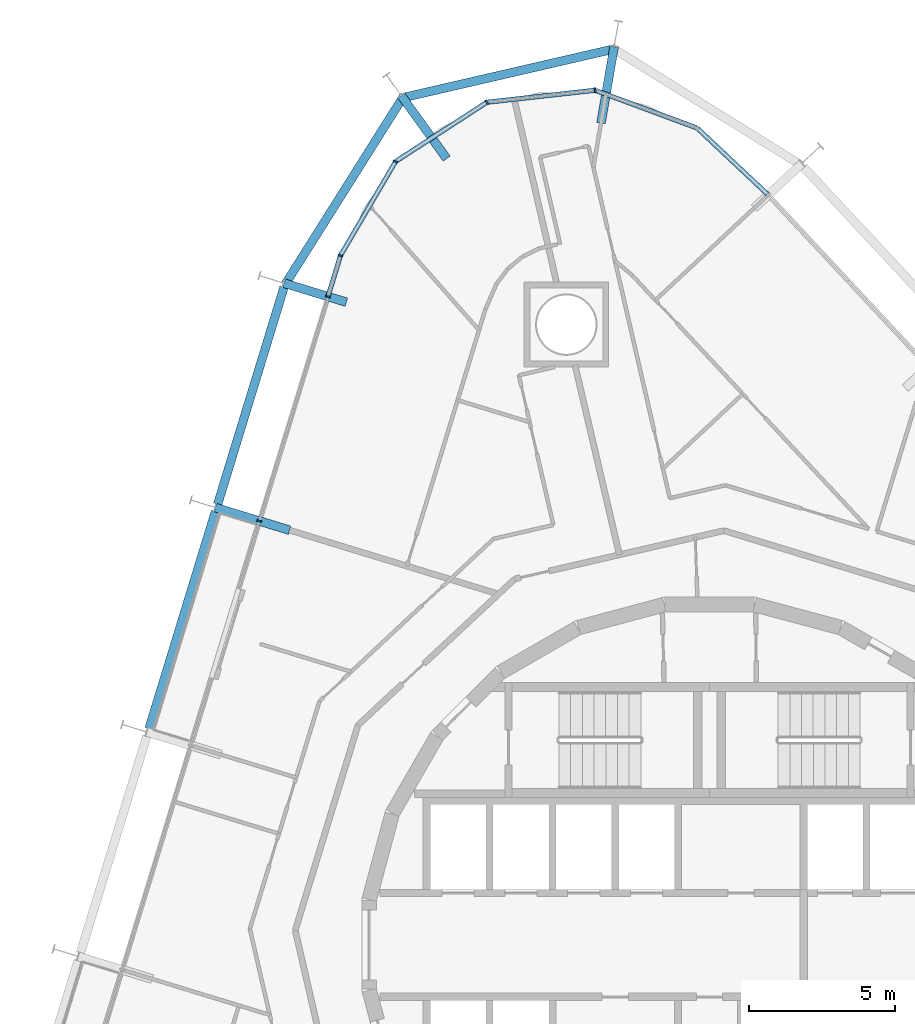
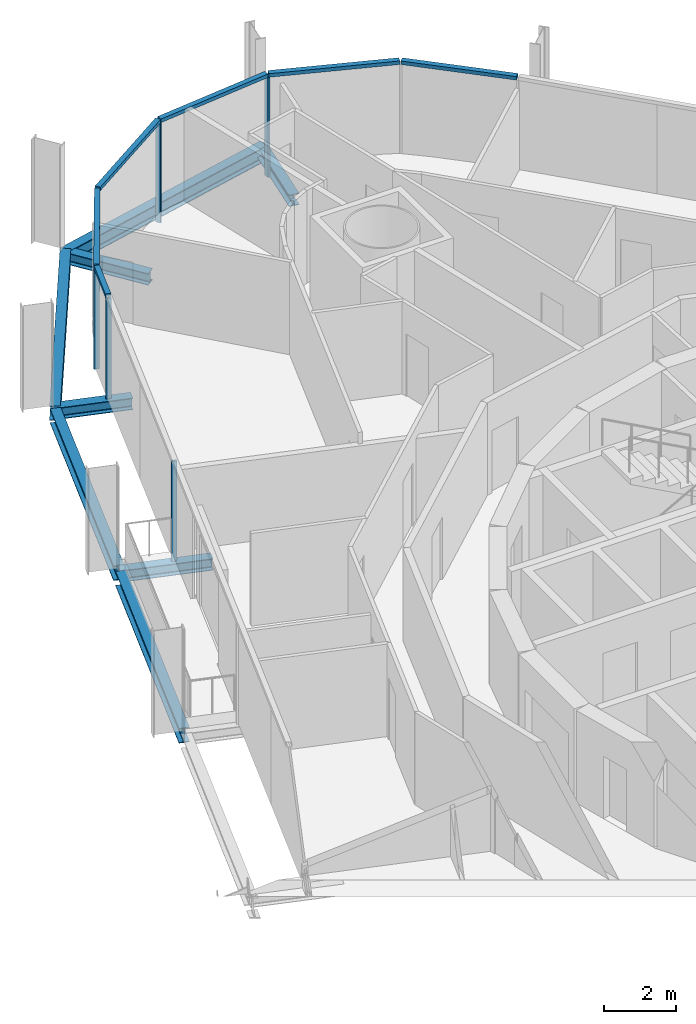
# One storey, part 7 of 18: 12 members, 8 beams, 2 elements without a shape of their own.
"""IFC4 building model written with IfcOpenShell, lengths in metres."""

from ifc_helpers import new_model, si_unit, direction, frame, origin, origin_2d, place, context, subcontext, project, spatial, rectangle, i_section, extrude, material, layer, layer_set, material_profile, profile_set, type_object, element, aggregate, save


model = new_model("IFC4")

# Units and contexts
model_context = context("Model", 3, precision=1e-05, world=origin(), true_north=direction((0.0, 1.0)))
body_context = subcontext(model_context, "Body", "Model", "MODEL_VIEW")
ifc_project = project(units=[si_unit("LENGTHUNIT", "METRE"), si_unit("AREAUNIT", "SQUARE_METRE"), si_unit("VOLUMEUNIT", "CUBIC_METRE"), si_unit("PLANEANGLEUNIT", "RADIAN"), si_unit("MASSUNIT", "GRAM", prefix="KILO")], contexts=[model_context])

# Site, building, storey
site_placement = place(None, origin())
site = spatial("IfcSite", under=ifc_project, at=site_placement, CompositionType="ELEMENT")
building_placement = place(site_placement, origin())
building = spatial("IfcBuilding", under=site, at=building_placement, Name="Spindle Arch Residences", CompositionType="ELEMENT")
storey_placement = place(building_placement, frame((0.0, 0.0, 123.89990234375)))
storey = spatial("IfcBuildingStorey", under=building, at=storey_placement, Name="L30", CompositionType="ELEMENT", Elevation=123.89990234375)

# Curtain wall, members
ifc_material_1 = material(Name="Aluminium bronze unitised frame with tinted glass", Category="aluminium")
ifc_layer_1 = layer(ifc_material_1, 0.159912109375)
ifc_layer_set_1 = layer_set([ifc_layer_1], Name="CW-D corner wall on the fillet arcs")
curtain_wall_type_1 = type_object("IfcCurtainWallType", Name="CW-D corner wall on the fillet arcs", PredefinedType="NOTDEFINED", material=ifc_layer_set_1)
curtain_wall_1_placement = place(storey_placement, origin())
curtain_wall_1 = element("IfcCurtainWall", 1, at=curtain_wall_1_placement, inside=storey, type_object=curtain_wall_type_1, Name="CW-D L30 run 3", PredefinedType="NOTDEFINED")
ifc_material_2 = material(Name="Aluminium bronze anodised mullion", Category="aluminium")
ifc_material_profile_1 = material_profile(ifc_material_2, rectangle(XDim=0.159912109375, YDim=0.06005859375, at=origin_2d()), Name="MU 60x160")
ifc_profile_set_1 = profile_set([ifc_material_profile_1], Name="Aluminium bronze anodised mullion")
member_type_1 = type_object("IfcMemberType", Name="Bronze mullion 60x160", PredefinedType="MULLION", material=ifc_profile_set_1)
member_1_placement = place(storey_placement, frame((-3.9150390625, 29.243408203125, -0.3798828125), z_axis=(0.0, 0.0, 1.0), x_axis=(0.110312556619, -0.993896946294, 0.0)))
member_1 = element("IfcMember", 2, at=member_1_placement, type_object=member_type_1, Name="CW-D mullion 02", PredefinedType="MULLION", context=body_context, shape_type="SweptSolid", body=[
    extrude(rectangle(XDim=0.159912109375, YDim=0.06005859375, at=origin_2d()), origin(), (0.0, 0.0, 1.0), 3.3798828125),
])
member_2_placement = place(storey_placement, frame((-7.619140625, 28.832275390625, -0.3798828125), z_axis=(0.0, 0.0, 1.0), x_axis=(0.544639035308, -0.838670567755, 0.0)))
member_2 = element("IfcMember", 3, at=member_2_placement, type_object=member_type_1, Name="CW-D mullion 03", PredefinedType="MULLION", context=body_context, shape_type="SweptSolid", body=[
    extrude(rectangle(XDim=0.159912109375, YDim=0.06005859375, at=origin_2d()), origin(), (0.0, 0.0, 1.0), 3.3798828125),
])
member_3_placement = place(storey_placement, frame((-10.74462890625, 26.802490234375, -0.3798828125), z_axis=(0.0, 0.0, 1.0), x_axis=(0.863101880723, -0.505029844161, 0.0)))
member_3 = element("IfcMember", 4, at=member_3_placement, type_object=member_type_1, Name="CW-D mullion 04", PredefinedType="MULLION", context=body_context, shape_type="SweptSolid", body=[
    extrude(rectangle(XDim=0.159912109375, YDim=0.06005859375, at=origin_2d()), origin(), (0.0, 0.0, 1.0), 3.3798828125),
])
member_4_placement = place(storey_placement, frame((-12.626708984375, 23.5859375, -0.3798828125), z_axis=(0.0, 0.0, 1.0), x_axis=(0.956304755963, -0.292371704723, 0.0)))
member_4 = element("IfcMember", 5, at=member_4_placement, type_object=member_type_1, Name="CW-D mullion 05", PredefinedType="MULLION", context=body_context, shape_type="SweptSolid", body=[
    extrude(rectangle(XDim=0.159912109375, YDim=0.06005859375, at=origin_2d()), origin(), (0.0, 0.0, 1.0), 3.3798828125),
])

ifc_material_3 = material(Name="Aluminium bronze unitised frame with tinted glass", Category="aluminium")
ifc_layer_2 = layer(ifc_material_3, 0.159912109375)
ifc_layer_set_2 = layer_set([ifc_layer_2], Name="CW-C typical residential unitised wall")
curtain_wall_type_2 = type_object("IfcCurtainWallType", Name="CW-C typical residential unitised wall", PredefinedType="NOTDEFINED", material=ifc_layer_set_2)
curtain_wall_2_placement = place(storey_placement, origin())
curtain_wall_2 = element("IfcCurtainWall", 6, at=curtain_wall_2_placement, inside=storey, type_object=curtain_wall_type_2, Name="CW-C L30 run 4", PredefinedType="NOTDEFINED")
member_5_placement = place(storey_placement, frame((-13.0556640625, 22.182861328125, -0.3798828125), z_axis=(0.0, 0.0, 1.0), x_axis=(0.956304755963, -0.292371704723, 0.0)))
member_5 = element("IfcMember", 7, at=member_5_placement, type_object=member_type_1, Name="CW-C mullion 12", PredefinedType="MULLION", context=body_context, shape_type="SweptSolid", body=[
    extrude(rectangle(XDim=0.159912109375, YDim=0.06005859375, at=origin_2d()), origin(), (0.0, 0.0, 1.0), 3.3798828125),
])
member_6_placement = place(storey_placement, frame((-15.4033203125, 14.504638671875, -0.3798828125), z_axis=(0.0, 0.0, 1.0), x_axis=(0.956304755963, -0.292371704723, 0.0)))
member_6 = element("IfcMember", 8, at=member_6_placement, type_object=member_type_1, Name="CW-C mullion 13", PredefinedType="MULLION", context=body_context, shape_type="SweptSolid", body=[
    extrude(rectangle(XDim=0.159912109375, YDim=0.06005859375, at=origin_2d()), origin(), (0.0, 0.0, 1.0), 3.3798828125),
])
aggregate(curtain_wall_2, [member_5, member_6])

# Member
ifc_material_4 = material(Name="Aluminium bronze anodised transom", Category="aluminium")
ifc_material_profile_2 = material_profile(ifc_material_4, rectangle(XDim=0.159912109375, YDim=0.1201171875, at=origin_2d()), Name="TR 120x160")
ifc_profile_set_2 = profile_set([ifc_material_profile_2], Name="Aluminium bronze anodised transom")
member_type_2 = type_object("IfcMemberType", Name="Bronze transom 120x160", PredefinedType="USERDEFINED", material=ifc_profile_set_2)
member_7_placement = place(storey_placement, frame((1.98828125, 25.681640625, 3.06005859375), z_axis=(-0.72826996669, 0.685290344027, 0.0), x_axis=(-0.685290344027, -0.72826996669, 0.0)))
member_7 = element("IfcMember", 9, at=member_7_placement, type_object=member_type_2, Name="CW-D transom 00", ObjectType="TRANSOM", PredefinedType="USERDEFINED", context=body_context, shape_type="SweptSolid", body=[
    extrude(rectangle(XDim=0.159912109375, YDim=0.1201171875, at=origin_2d()), origin(), (0.0, 0.0, 1.0), 3.277587890625),
])

member_8_placement = place(storey_placement, frame((-0.44873046875, 27.958740234375, 3.06005859375), z_axis=(-0.937682080581, 0.347494339172, 0.0), x_axis=(-0.347494339172, -0.937682080581, 0.0)))
member_8 = element("IfcMember", 10, at=member_8_placement, type_object=member_type_2, Name="CW-D transom 01", ObjectType="TRANSOM", PredefinedType="USERDEFINED", context=body_context, shape_type="SweptSolid", body=[
    extrude(rectangle(XDim=0.159912109375, YDim=0.1201171875, at=origin_2d()), origin(), (0.0, 0.0, 1.0), 3.666748046875),
])

member_9_placement = place(storey_placement, frame((-3.945068359375, 29.239990234375, 3.06005859375), z_axis=(-0.993895097359, -0.110329213929, 0.0), x_axis=(0.110329213929, -0.993895097359, 0.0)))
member_9 = element("IfcMember", 11, at=member_9_placement, type_object=member_type_2, Name="CW-D transom 02", ObjectType="TRANSOM", PredefinedType="USERDEFINED", context=body_context, shape_type="SweptSolid", body=[
    extrude(rectangle(XDim=0.159912109375, YDim=0.1201171875, at=origin_2d()), origin(), (0.0, 0.0, 1.0), 3.666748046875),
])

member_10_placement = place(storey_placement, frame((-7.644287109375, 28.81591796875, 3.06005859375), z_axis=(-0.838668683676, -0.544641936525, 0.0), x_axis=(0.544641936525, -0.838668683676, 0.0)))
member_10 = element("IfcMember", 12, at=member_10_placement, type_object=member_type_2, Name="CW-D transom 03", ObjectType="TRANSOM", PredefinedType="USERDEFINED", context=body_context, shape_type="SweptSolid", body=[
    extrude(rectangle(XDim=0.159912109375, YDim=0.1201171875, at=origin_2d()), origin(), (0.0, 0.0, 1.0), 3.666748046875),
])

member_11_placement = place(storey_placement, frame((-10.759765625, 26.776611328125, 3.06005859375), z_axis=(-0.505025585574, -0.86310437255, 0.0), x_axis=(0.86310437255, -0.505025585574, 0.0)))
member_11 = element("IfcMember", 13, at=member_11_placement, type_object=member_type_2, Name="CW-D transom 04", ObjectType="TRANSOM", PredefinedType="USERDEFINED", context=body_context, shape_type="SweptSolid", body=[
    extrude(rectangle(XDim=0.159912109375, YDim=0.1201171875, at=origin_2d()), origin(), (0.0, 0.0, 1.0), 3.666748046875),
])

member_12_placement = place(storey_placement, frame((-12.635498046875, 23.55712890625, 3.06005859375), z_axis=(-0.292390464398, -0.956299020354, 0.0), x_axis=(0.956299020354, -0.292390464398, 0.0)))
member_12 = element("IfcMember", 14, at=member_12_placement, type_object=member_type_2, Name="CW-D transom 05", ObjectType="TRANSOM", PredefinedType="USERDEFINED", context=body_context, shape_type="SweptSolid", body=[
    extrude(rectangle(XDim=0.159912109375, YDim=0.1201171875, at=origin_2d()), origin(), (0.0, 0.0, 1.0), 1.406982421875),
])

aggregate(curtain_wall_1, [member_7, member_8, member_1, member_9, member_2, member_10, member_3, member_11, member_4, member_12])

# Beams
ifc_material_5 = material(Name="Steel S460ML, intumescent coating R 120", Category="steel")
ifc_material_profile_3 = material_profile(ifc_material_5, i_section(OverallWidth=0.300048828125, OverallDepth=0.5, WebThickness=0.014404296875, FlangeThickness=0.028076171875, FilletRadius=0.027099609375, at=origin_2d()), Name="HEB 500")
ifc_profile_set_3 = profile_set([ifc_material_profile_3], Name="Steel S460ML, intumescent coating R 120")
beam_type_1 = type_object("IfcBeamType", Name="Exoskeleton edge beam HEB 500", PredefinedType="BEAM", material=ifc_profile_set_3)
beam_1_placement = place(storey_placement, frame((-3.20166015625, 30.670166015625, -0.6298828125), z_axis=(-0.974372141151, -0.224942060428, 0.0), x_axis=(0.224942060428, -0.974372141151, 0.0)))
element("IfcBeam", 15, at=beam_1_placement, inside=storey, type_object=beam_type_1, Name="Exoskeleton edge beam 11", PredefinedType="BEAM", context=body_context, shape_type="SweptSolid", body=[
    extrude(i_section(OverallWidth=0.300048828125, OverallDepth=0.5, WebThickness=0.014404296875, FlangeThickness=0.028076171875, FilletRadius=0.027099609375, at=origin_2d()), origin(), (0.0, 0.0, 1.0), 7.5595703125),
])
beam_2_placement = place(storey_placement, frame((-10.47509765625, 29.022705078125, -0.6298828125), z_axis=(-0.532774034173, -0.846257542661, 0.0), x_axis=(0.846257542661, -0.532774034173, 0.0)))
element("IfcBeam", 16, at=beam_2_placement, inside=storey, type_object=beam_type_1, Name="Exoskeleton edge beam 12", PredefinedType="BEAM", context=body_context, shape_type="SweptSolid", body=[
    extrude(i_section(OverallWidth=0.300048828125, OverallDepth=0.5, WebThickness=0.014404296875, FlangeThickness=0.028076171875, FilletRadius=0.027099609375, at=origin_2d()), origin(), (0.0, 0.0, 1.0), 7.591796875),
])
for number, where, z_axis, x_axis, name in (
    (17, (-14.556884765625, 22.505859375, -0.6298828125), (-0.292380603236, -0.956302035369, 0.0), (0.956302035369, -0.292380603236, 0.0), "Exoskeleton edge beam 13"),
    (18, (-16.904296875, 14.82763671875, -0.6298828125), (-0.292371816855, -0.956304721681, 0.0), (0.956304721681, -0.292371816855, 0.0), "Exoskeleton edge beam 14"),
):
    element("IfcBeam", number, at=place(storey_placement, frame(where, z_axis=z_axis, x_axis=x_axis)), inside=storey, type_object=beam_type_1, Name=name, PredefinedType="BEAM", context=body_context, shape_type="SweptSolid", body=[
        extrude(i_section(OverallWidth=0.300048828125, OverallDepth=0.5, WebThickness=0.014404296875, FlangeThickness=0.028076171875, FilletRadius=0.027099609375, at=origin_2d()), origin(), (0.0, 0.0, 1.0), 7.76904296875),
    ])
ifc_material_6 = material(Name="Steel S460ML, intumescent coating R 120", Category="steel")
ifc_material_profile_4 = material_profile(ifc_material_6, i_section(OverallWidth=0.300048828125, OverallDepth=0.389892578125, WebThickness=0.010986328125, FlangeThickness=0.01904296875, FilletRadius=0.027099609375, at=origin_2d()), Name="HEA 400")
ifc_profile_set_4 = profile_set([ifc_material_profile_4], Name="Steel S460ML, intumescent coating R 120")
beam_type_2 = type_object("IfcBeamType", Name="Floor outrigger HEA 400", PredefinedType="BEAM", material=ifc_profile_set_4)
for number, where, z_axis, x_axis, name in (
    (19, (-3.26171875, 30.7333984375, -0.574951171875), (-0.169700209351, -0.985495732587, 0.0), (0.985495732587, -0.169700209351, 0.0), "Floor outrigger 11"),
    (20, (-10.541015625, 29.052734375, -0.574951171875), (0.584588663969, -0.811329830561, 0.0), (0.811329830561, 0.584588663969, 0.0), "Floor outrigger 12"),
):
    element("IfcBeam", number, at=place(storey_placement, frame(where, z_axis=z_axis, x_axis=x_axis)), inside=storey, type_object=beam_type_2, Name=name, PredefinedType="BEAM", context=body_context, shape_type="SweptSolid", body=[
        extrude(i_section(OverallWidth=0.300048828125, OverallDepth=0.389892578125, WebThickness=0.010986328125, FlangeThickness=0.01904296875, FilletRadius=0.027099609375, at=origin_2d()), origin(), (0.0, 0.0, 1.0), 2.64990234375),
    ])
beam_3_placement = place(storey_placement, frame((-14.55712890625, 22.641845703125, -0.574951171875), z_axis=(0.956331173438, -0.292285283091, 0.0), x_axis=(0.292285283091, 0.956331173438, 0.0)))
element("IfcBeam", 21, at=beam_3_placement, inside=storey, type_object=beam_type_2, Name="Floor outrigger 13", PredefinedType="BEAM", context=body_context, shape_type="SweptSolid", body=[
    extrude(i_section(OverallWidth=0.300048828125, OverallDepth=0.389892578125, WebThickness=0.010986328125, FlangeThickness=0.01904296875, FilletRadius=0.027099609375, at=origin_2d()), origin(), (0.0, 0.0, 1.0), 2.230224609375),
])
beam_4_placement = place(storey_placement, frame((-16.904541015625, 14.963623046875, -0.574951171875), z_axis=(0.956291475666, -0.292415139091, 0.0), x_axis=(0.292415139091, 0.956291475666, 0.0)))
element("IfcBeam", 22, at=beam_4_placement, inside=storey, type_object=beam_type_2, Name="Floor outrigger 14", PredefinedType="BEAM", context=body_context, shape_type="SweptSolid", body=[
    extrude(i_section(OverallWidth=0.300048828125, OverallDepth=0.389892578125, WebThickness=0.010986328125, FlangeThickness=0.01904296875, FilletRadius=0.027099609375, at=origin_2d()), origin(), (0.0, 0.0, 1.0), 2.64990234375),
])

save(model, "model.ifc")
